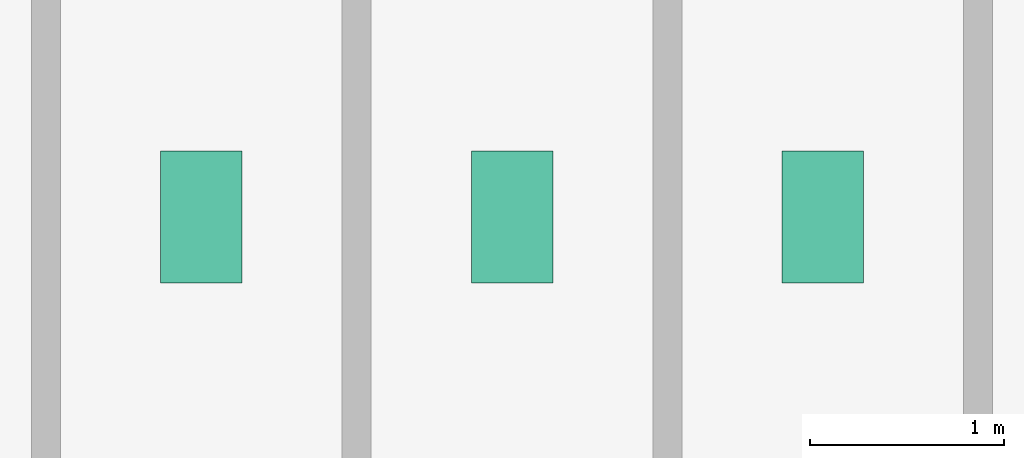
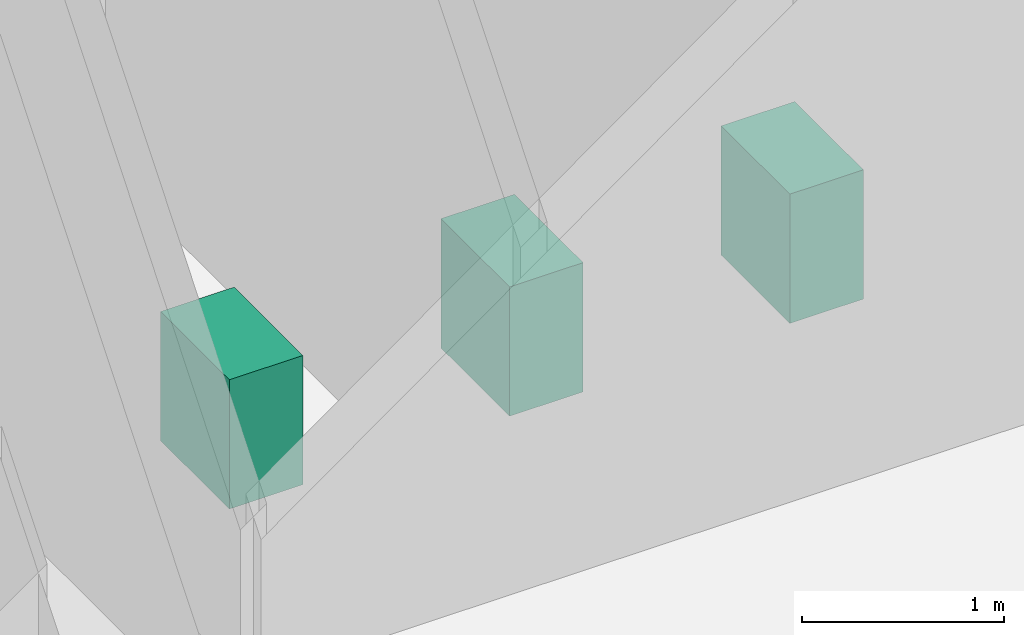
# One storey, part 22 of 22: 3 sanitary terminals.
"""IFC4 building model written with IfcOpenShell, lengths in metres."""

from ifc_helpers import new_model, si_unit, derived_unit, direction, frame, origin, origin_2d, place, context, subcontext, project, spatial, rectangle, extrude, source, transform, mapped, material, type_object, element, save


model = new_model("IFC4")

# Units and contexts
model_context = context("Model", 3, precision=1e-05, world=origin(), true_north=direction((0.0, 1.0)))
body_context = subcontext(model_context, "Body", "Model", "MODEL_VIEW")
ifc_project = project(units=[si_unit("LENGTHUNIT", "METRE"), si_unit("AREAUNIT", "SQUARE_METRE"), si_unit("VOLUMEUNIT", "CUBIC_METRE"), si_unit("PLANEANGLEUNIT", "RADIAN"), si_unit("MASSUNIT", "GRAM", prefix="KILO"), derived_unit("THERMALTRANSMITTANCEUNIT", [(si_unit("POWERUNIT", "WATT"), 1), (si_unit("LENGTHUNIT", "METRE"), -2), (si_unit("THERMODYNAMICTEMPERATUREUNIT", "KELVIN"), -1)])], contexts=[model_context])

# Site, building, storey
site_placement = place(None, origin())
site = spatial("IfcSite", under=ifc_project, at=site_placement, CompositionType="ELEMENT")
building_placement = place(site_placement, origin())
building = spatial("IfcBuilding", under=site, at=building_placement, Name="Skarnbrae Concourse Arena and Tower", CompositionType="ELEMENT")
storey_placement = place(building_placement, frame((0.0, 0.0, 255.14990234375)))
storey = spatial("IfcBuildingStorey", under=building, at=storey_placement, Name="L66", CompositionType="ELEMENT", Elevation=255.14990234375)

# Sanitary terminals
ifc_material = material(Name="Vitreous china sanitaryware", Category="other")
sanitary_terminal_type = type_object("IfcSanitaryTerminalType", Name="SAN-WC-VITREOUS", PredefinedType="TOILETPAN", material=ifc_material)
shared_shape = source(origin(), body_context, "Body", "SweptSolid", [
    extrude(rectangle(XDim=0.419921875, YDim=0.679931640625, at=origin_2d()), origin(), (0.0, 0.0, 1.0), 0.780029296875),
])
for number, where, z_axis, x_axis, name in (
    (1, (35.0, 11.39990234375, 0.0), (0.0, 0.0, 1.0), (1.0, 0.0, 0.0), "L66 Washroom WC fixture 1"),
    (2, (36.60009765625, 11.39990234375, 0.0), (0.0, 0.0, 1.0), (1.0, 0.0, 0.0), "L66 Washroom WC fixture 2"),
    (3, (38.199951171875, 11.39990234375, 0.0), (0.0, 0.0, 1.0), (1.0, 0.0, 0.0), "L66 Washroom WC fixture 3"),
):
    element("IfcSanitaryTerminal", number, at=place(storey_placement, frame(where, z_axis=z_axis, x_axis=x_axis)), inside=storey, type_object=sanitary_terminal_type, Name=name, PredefinedType="TOILETPAN", context=body_context, shape_type="MappedRepresentation", body=[
        mapped(shared_shape, transform((0.0, 0.0, 0.0))),
    ])

save(model, "model.ifc")
